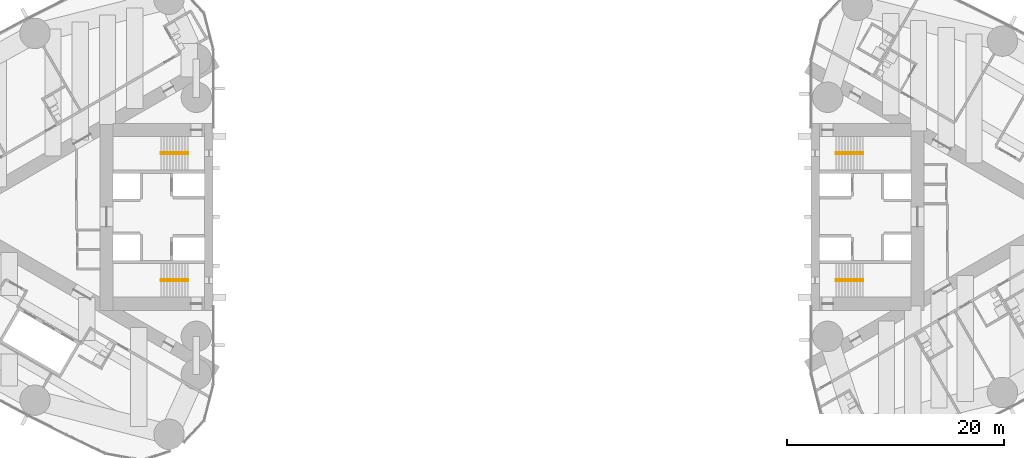
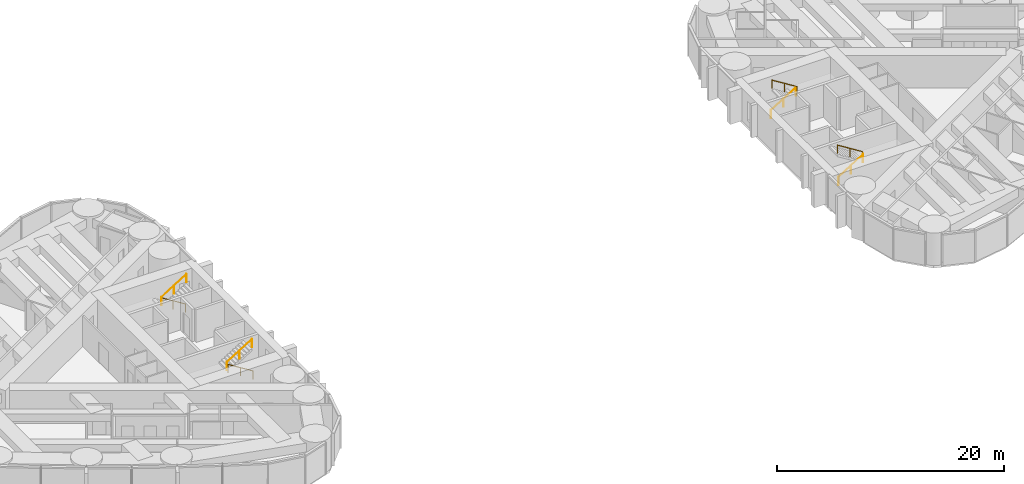
# One storey, part 18 of 19: 8 railings.
"""IFC4 building model written with IfcOpenShell, lengths in metres."""

from ifc_helpers import new_model, si_unit, direction, frame, origin, origin_2d, place, context, subcontext, project, spatial, circle, extrude, material, type_object, element, save


model = new_model("IFC4")

# Units and contexts
model_context = context("Model", 3, precision=1e-05, world=origin(), true_north=direction((0.0, 1.0)))
body_context = subcontext(model_context, "Body", "Model", "MODEL_VIEW")
ifc_project = project(units=[si_unit("LENGTHUNIT", "METRE"), si_unit("AREAUNIT", "SQUARE_METRE"), si_unit("VOLUMEUNIT", "CUBIC_METRE"), si_unit("PLANEANGLEUNIT", "RADIAN"), si_unit("MASSUNIT", "GRAM", prefix="KILO")], contexts=[model_context])

# Site, building, storey
site_placement = place(None, origin())
site = spatial("IfcSite", under=ifc_project, at=site_placement, CompositionType="ELEMENT")
building_placement = place(site_placement, origin())
building = spatial("IfcBuilding", under=site, at=building_placement, Name="Lancet Gate Hotel", CompositionType="ELEMENT")
storey_placement = place(building_placement, frame((0.0, 0.0, 191.300048828125)))
storey = spatial("IfcBuildingStorey", under=building, at=storey_placement, Name="L51", CompositionType="ELEMENT", Elevation=191.300048828125)

# Railings
ifc_material = material(Name="Stainless steel handrail", Category="steel")
railing_type = type_object("IfcRailingType", Name="Stair handrail 900", PredefinedType="HANDRAIL", material=ifc_material)
railing_1_placement = place(storey_placement, frame((-29.800048828125, 5.929931640625, 0.175048828125)))
element("IfcRailing", 1, at=railing_1_placement, inside=storey, type_object=railing_type, Name="ST1 handrail flight 1 L51", PredefinedType="HANDRAIL", context=body_context, shape_type="SweptSolid", body=[
    extrude(circle(Radius=0.02392578125, at=origin_2d()), frame((0.0, 0.0, 0.8759765625), z_axis=(-0.848007534815, 0.0, 0.529984170421), x_axis=(0.0, -1.0, 0.0)), (0.0, 0.0, 1.0), 2.9716796875),
    extrude(circle(Radius=0.02099609375, at=origin_2d()), origin(), (0.0, 0.0, 1.0), 0.851806640625),
    extrude(circle(Radius=0.02099609375, at=origin_2d()), frame((-1.260009765625, 0.0, 0.78759765625)), (0.0, 0.0, 1.0), 0.851806640625),
    extrude(circle(Radius=0.02099609375, at=origin_2d()), frame((-2.52001953125, 0.0, 1.574951171875)), (0.0, 0.0, 1.0), 0.851806640625),
])
railing_2_placement = place(storey_placement, frame((-32.320068359375, 5.77001953125, 1.925048828125)))
element("IfcRailing", 2, at=railing_2_placement, inside=storey, type_object=railing_type, Name="ST1 handrail flight 2 L51", PredefinedType="HANDRAIL", context=body_context, shape_type="SweptSolid", body=[
    extrude(circle(Radius=0.02392578125, at=origin_2d()), frame((0.0, 0.0, 0.8759765625), z_axis=(0.848007534815, 0.0, 0.529984170421), x_axis=(0.0, 1.0, 0.0)), (0.0, 0.0, 1.0), 2.9716796875),
    extrude(circle(Radius=0.02099609375, at=origin_2d()), origin(), (0.0, 0.0, 1.0), 0.851806640625),
    extrude(circle(Radius=0.02099609375, at=origin_2d()), frame((1.260009765625, 0.0, 0.78759765625)), (0.0, 0.0, 1.0), 0.851806640625),
    extrude(circle(Radius=0.02099609375, at=origin_2d()), frame((2.52001953125, 0.0, 1.574951171875)), (0.0, 0.0, 1.0), 0.851806640625),
])
railing_3_placement = place(storey_placement, frame((-29.800048828125, -5.929931640625, 0.175048828125)))
element("IfcRailing", 3, at=railing_3_placement, inside=storey, type_object=railing_type, Name="ST2 handrail flight 1 L51", PredefinedType="HANDRAIL", context=body_context, shape_type="SweptSolid", body=[
    extrude(circle(Radius=0.02392578125, at=origin_2d()), frame((0.0, 0.0, 0.8759765625), z_axis=(-0.848007534815, 0.0, 0.529984170421), x_axis=(0.0, -1.0, 0.0)), (0.0, 0.0, 1.0), 2.9716796875),
    extrude(circle(Radius=0.02099609375, at=origin_2d()), origin(), (0.0, 0.0, 1.0), 0.851806640625),
    extrude(circle(Radius=0.02099609375, at=origin_2d()), frame((-1.260009765625, 0.0, 0.78759765625)), (0.0, 0.0, 1.0), 0.851806640625),
    extrude(circle(Radius=0.02099609375, at=origin_2d()), frame((-2.52001953125, 0.0, 1.574951171875)), (0.0, 0.0, 1.0), 0.851806640625),
])
for number, where, name in (
    (4, (-32.320068359375, -5.77001953125, 1.925048828125), "ST2 handrail flight 2 L51"),
    (5, (29.800048828125, -5.929931640625, 0.175048828125), "ST3 handrail flight 1 L51"),
):
    element("IfcRailing", number, at=place(storey_placement, frame(where)), inside=storey, type_object=railing_type, Name=name, PredefinedType="HANDRAIL", context=body_context, shape_type="SweptSolid", body=[
        extrude(circle(Radius=0.02392578125, at=origin_2d()), frame((0.0, 0.0, 0.8759765625), z_axis=(0.848007534815, 0.0, 0.529984170421), x_axis=(0.0, 1.0, 0.0)), (0.0, 0.0, 1.0), 2.9716796875),
        extrude(circle(Radius=0.02099609375, at=origin_2d()), origin(), (0.0, 0.0, 1.0), 0.851806640625),
        extrude(circle(Radius=0.02099609375, at=origin_2d()), frame((1.260009765625, 0.0, 0.78759765625)), (0.0, 0.0, 1.0), 0.851806640625),
        extrude(circle(Radius=0.02099609375, at=origin_2d()), frame((2.52001953125, 0.0, 1.574951171875)), (0.0, 0.0, 1.0), 0.851806640625),
    ])
railing_4_placement = place(storey_placement, frame((32.320068359375, -5.77001953125, 1.925048828125)))
element("IfcRailing", 6, at=railing_4_placement, inside=storey, type_object=railing_type, Name="ST3 handrail flight 2 L51", PredefinedType="HANDRAIL", context=body_context, shape_type="SweptSolid", body=[
    extrude(circle(Radius=0.02392578125, at=origin_2d()), frame((0.0, 0.0, 0.8759765625), z_axis=(-0.848007534815, 0.0, 0.529984170421), x_axis=(0.0, -1.0, 0.0)), (0.0, 0.0, 1.0), 2.9716796875),
    extrude(circle(Radius=0.02099609375, at=origin_2d()), origin(), (0.0, 0.0, 1.0), 0.851806640625),
    extrude(circle(Radius=0.02099609375, at=origin_2d()), frame((-1.260009765625, 0.0, 0.78759765625)), (0.0, 0.0, 1.0), 0.851806640625),
    extrude(circle(Radius=0.02099609375, at=origin_2d()), frame((-2.52001953125, 0.0, 1.574951171875)), (0.0, 0.0, 1.0), 0.851806640625),
])
railing_5_placement = place(storey_placement, frame((29.800048828125, 5.929931640625, 0.175048828125)))
element("IfcRailing", 7, at=railing_5_placement, inside=storey, type_object=railing_type, Name="ST4 handrail flight 1 L51", PredefinedType="HANDRAIL", context=body_context, shape_type="SweptSolid", body=[
    extrude(circle(Radius=0.02392578125, at=origin_2d()), frame((0.0, 0.0, 0.8759765625), z_axis=(0.848007534815, 0.0, 0.529984170421), x_axis=(0.0, 1.0, 0.0)), (0.0, 0.0, 1.0), 2.9716796875),
    extrude(circle(Radius=0.02099609375, at=origin_2d()), origin(), (0.0, 0.0, 1.0), 0.851806640625),
    extrude(circle(Radius=0.02099609375, at=origin_2d()), frame((1.260009765625, 0.0, 0.78759765625)), (0.0, 0.0, 1.0), 0.851806640625),
    extrude(circle(Radius=0.02099609375, at=origin_2d()), frame((2.52001953125, 0.0, 1.574951171875)), (0.0, 0.0, 1.0), 0.851806640625),
])
railing_6_placement = place(storey_placement, frame((32.320068359375, 5.77001953125, 1.925048828125)))
element("IfcRailing", 8, at=railing_6_placement, inside=storey, type_object=railing_type, Name="ST4 handrail flight 2 L51", PredefinedType="HANDRAIL", context=body_context, shape_type="SweptSolid", body=[
    extrude(circle(Radius=0.02392578125, at=origin_2d()), frame((0.0, 0.0, 0.8759765625), z_axis=(-0.848007534815, 0.0, 0.529984170421), x_axis=(0.0, -1.0, 0.0)), (0.0, 0.0, 1.0), 2.9716796875),
    extrude(circle(Radius=0.02099609375, at=origin_2d()), origin(), (0.0, 0.0, 1.0), 0.851806640625),
    extrude(circle(Radius=0.02099609375, at=origin_2d()), frame((-1.260009765625, 0.0, 0.78759765625)), (0.0, 0.0, 1.0), 0.851806640625),
    extrude(circle(Radius=0.02099609375, at=origin_2d()), frame((-2.52001953125, 0.0, 1.574951171875)), (0.0, 0.0, 1.0), 0.851806640625),
])

save(model, "model.ifc")
